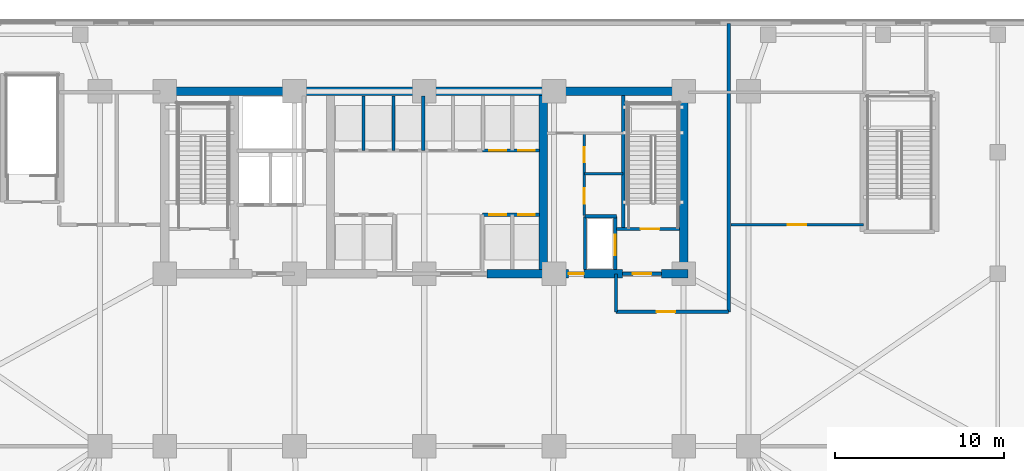
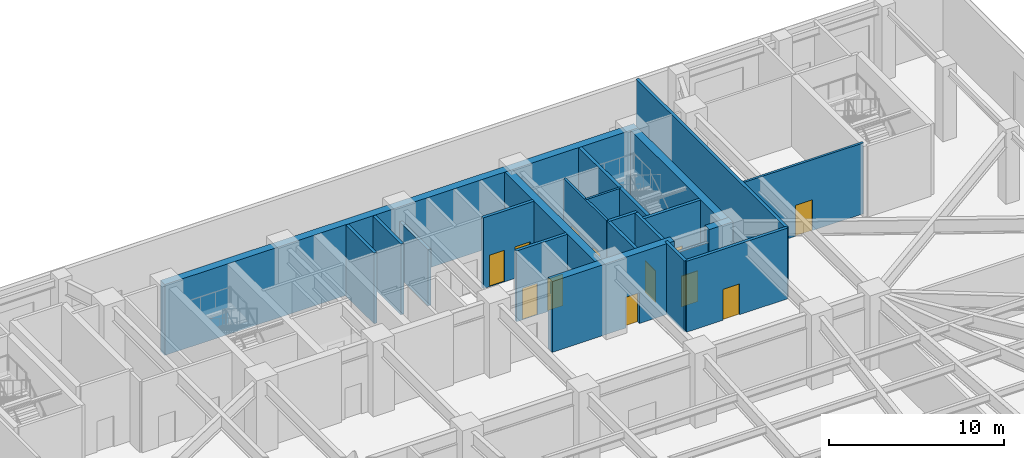
# One storey, part 5 of 15: 22 walls, 12 doors, 12 openings.
"""IFC4 building model written with IfcOpenShell, lengths in metres."""

from ifc_helpers import new_model, si_unit, direction, frame, frame_2d, origin, place, context, subcontext, project, spatial, rectangle, extrude, material, layer, layer_set, type_object, element, fill, save


model = new_model("IFC4")

# Units and contexts
model_context = context("Model", 3, precision=1e-05, world=origin(), true_north=direction((0.0, 1.0)))
body_context = subcontext(model_context, "Body", "Model", "MODEL_VIEW")
ifc_project = project(units=[si_unit("LENGTHUNIT", "METRE"), si_unit("AREAUNIT", "SQUARE_METRE"), si_unit("VOLUMEUNIT", "CUBIC_METRE"), si_unit("PLANEANGLEUNIT", "RADIAN"), si_unit("MASSUNIT", "GRAM", prefix="KILO")], contexts=[model_context])

# Site, building, storey
site_placement = place(None, origin())
site = spatial("IfcSite", under=ifc_project, at=site_placement, CompositionType="ELEMENT")
building_placement = place(site_placement, origin())
building = spatial("IfcBuilding", under=site, at=building_placement, Name="Yelkora Congress Tower", CompositionType="ELEMENT")
storey_placement = place(building_placement, origin())
storey = spatial("IfcBuildingStorey", under=building, at=storey_placement, Name="L00", CompositionType="ELEMENT", Elevation=0.0)

# Walls
ifc_material_1 = material(Name="Concrete C50/60", Category="concrete")
ifc_layer_1 = layer(ifc_material_1, 0.219970703125)
ifc_layer_set_1 = layer_set([ifc_layer_1], Name="Concrete C50/60")
wall_type_1 = type_object("IfcWallType", Name="WALL-CORE-INT-220", PredefinedType="SHEAR", material=ifc_layer_set_1)
wall_1_placement = place(storey_placement, frame((50.179931640625, 38.050048828125, 0.0), z_axis=(0.0, 0.0, 1.0), x_axis=(0.0, 1.0, 0.0)))
element("IfcWall", 1, at=wall_1_placement, inside=storey, type_object=wall_type_1, Name="L00 ST02 West Stair Shear Wall", PredefinedType="SHEAR", context=body_context, shape_type="SweptSolid", body=[
    extrude(rectangle(XDim=7.89990234375, YDim=0.219970703125, at=frame_2d((3.949951171875, 0.0))), origin(), (0.0, 0.0, 1.0), 4.93994140625),
])
ifc_material_2 = material(Name="Concrete C60/75", Category="concrete")
ifc_layer_2 = layer(ifc_material_2, 0.5)
ifc_layer_set_2 = layer_set([ifc_layer_2], Name="Concrete C60/75")
wall_type_2 = type_object("IfcWallType", Name="WALL-CORE-INT-500", PredefinedType="SHEAR", material=ifc_layer_set_2)
wall_2_placement = place(storey_placement, frame((22.7900390625, 46.199951171875, 0.0), z_axis=(0.0, 0.0, 1.0), x_axis=(1.0, 0.0, 0.0)))
element("IfcWall", 2, at=wall_2_placement, inside=storey, type_object=wall_type_2, Name="L00 Rear Core North Shear Wall", PredefinedType="SHEAR", context=body_context, shape_type="SweptSolid", body=[
    extrude(rectangle(XDim=31.219970703125, YDim=0.5, at=frame_2d((15.60986328125, 0.0))), origin(), (0.0, 0.0, 1.0), 4.93994140625),
])

# Wall, opening, door
wall_3_placement = place(storey_placement, frame((42.10009765625, 35.39990234375, 0.0), z_axis=(0.0, 0.0, 1.0), x_axis=(1.0, 0.0, 0.0)))
wall_3 = element("IfcWall", 3, at=wall_3_placement, inside=storey, type_object=wall_type_2, Name="L00 Rear Core South-East Shear Wall A", PredefinedType="SHEAR", context=body_context, shape_type="SweptSolid", body=[
    extrude(rectangle(XDim=8.0498046875, YDim=0.5, at=frame_2d((4.02490234375, 0.0))), origin(), (0.0, 0.0, 1.0), 4.93994140625),
])
opening_1_placement = place(wall_3_placement, frame((4.85009765625, 0.0, 0.0)))
opening_1 = element("IfcOpeningElement", 4, at=opening_1_placement, cuts=wall_3, Name="Opening DR-090F6", PredefinedType="OPENING", context=body_context, shape_type="SweptSolid", body=[
    extrude(rectangle(XDim=0.89990234375, YDim=2.14990234375, at=frame_2d((0.449951171875, 1.074951171875))), frame((0.0, 0.260009765625, 0.0), z_axis=(0.0, -1.0, 0.0), x_axis=(1.0, 0.0, 0.0)), (0.0, 0.0, 1.0), 0.52001953125),
])
ifc_material_3 = material(Name="Painted steel riser fire door leaf", Category="steel")
door_type_1 = type_object("IfcDoorType", Name="DOOR-FD60-900", OperationType="NOTDEFINED", PredefinedType="DOOR", material=ifc_material_3)
door_1_placement = place(opening_1_placement, origin())
door_1 = element("IfcDoor", 5, at=door_1_placement, inside=storey, type_object=door_type_1, Name="L00 Core Washroom Lobby Door", OperationType="SINGLE_SWING_RIGHT", OverallHeight=2.14990234375, OverallWidth=0.89990234375, PredefinedType="DOOR", context=body_context, shape_type="SweptSolid", body=[
    extrude(rectangle(XDim=0.89990234375, YDim=2.14990234375, at=frame_2d((0.449951171875, 1.074951171875))), frame((0.0, 0.02490234375, 0.0), z_axis=(0.0, -1.0, 0.0), x_axis=(1.0, 0.0, 0.0)), (0.0, 0.0, 1.0), 0.050048828125),
])
fill(opening_1, door_1)

# Walls
wall_4_placement = place(storey_placement, frame((52.449951171875, 35.39990234375, 0.0), z_axis=(0.0, 0.0, 1.0), x_axis=(1.0, 0.0, 0.0)))
element("IfcWall", 6, at=wall_4_placement, inside=storey, type_object=wall_type_2, Name="L00 Rear Core South-East Shear Wall B", PredefinedType="SHEAR", context=body_context, shape_type="SweptSolid", body=[
    extrude(rectangle(XDim=1.56005859375, YDim=0.5, at=frame_2d((0.780029296875, 0.0))), origin(), (0.0, 0.0, 1.0), 4.93994140625),
])
for number, where, z_axis, x_axis, name in (
    (7, (45.449951171875, 35.64990234375, 0.0), (0.0, 0.0, 1.0), (0.0, 1.0, 0.0), "L00 Rear Core Cross Shear Wall C3"),
    (8, (53.760009765625, 35.64990234375, 0.0), (0.0, 0.0, 1.0), (0.0, 1.0, 0.0), "L00 Rear Core Cross Shear Wall E"),
):
    element("IfcWall", number, at=place(storey_placement, frame(where, z_axis=z_axis, x_axis=x_axis)), inside=storey, type_object=wall_type_2, Name=name, PredefinedType="SHEAR", context=body_context, shape_type="SweptSolid", body=[
        extrude(rectangle(XDim=10.300048828125, YDim=0.5, at=frame_2d((5.14990234375, 0.0))), origin(), (0.0, 0.0, 1.0), 4.93994140625),
    ])
ifc_material_4 = material(Name="Acoustic metal-stud gypsum partition", Category="gypsum")
ifc_layer_3 = layer(ifc_material_4, 0.14990234375)
ifc_layer_set_3 = layer_set([ifc_layer_3], Name="Acoustic metal-stud gypsum partition")
wall_type_3 = type_object("IfcWallType", Name="WALL-INT-150-NR", PredefinedType="PARTITIONING", material=ifc_layer_set_3)
wall_5_placement = place(storey_placement, frame((47.8798828125, 41.320068359375, 0.0), z_axis=(0.0, 0.0, 1.0), x_axis=(1.0, 0.0, 0.0)))
element("IfcWall", 9, at=wall_5_placement, inside=storey, type_object=wall_type_3, Name="L00 Partition Wall 29", PredefinedType="PARTITIONING", context=body_context, shape_type="SweptSolid", body=[
    extrude(rectangle(XDim=2.300048828125, YDim=0.14990234375, at=frame_2d((1.14990234375, 0.0))), origin(), (0.0, 0.0, 1.0), 4.93994140625),
])

# Wall, openings, doors
wall_6_placement = place(storey_placement, frame((47.8798828125, 38.85009765625, 0.0), z_axis=(0.0, 0.0, 1.0), x_axis=(0.0, 1.0, 0.0)))
wall_6 = element("IfcWall", 10, at=wall_6_placement, inside=storey, type_object=wall_type_3, Name="L00 Partition Wall 30", PredefinedType="PARTITIONING", context=body_context, shape_type="SweptSolid", body=[
    extrude(rectangle(XDim=4.869873046875, YDim=0.14990234375, at=frame_2d((2.43505859375, 0.0))), origin(), (0.0, 0.0, 1.0), 4.93994140625),
])
opening_2_placement = place(wall_6_placement, frame((0.699951171875, 0.0, 0.0)))
opening_2 = element("IfcOpeningElement", 11, at=opening_2_placement, cuts=wall_6, Name="Opening DR-090N", PredefinedType="OPENING", context=body_context, shape_type="SweptSolid", body=[
    extrude(rectangle(XDim=0.89990234375, YDim=2.14990234375, at=frame_2d((0.449951171875, 1.074951171875))), frame((0.0, 0.0849609375, 0.0), z_axis=(0.0, -1.0, 0.0), x_axis=(1.0, 0.0, 0.0)), (0.0, 0.0, 1.0), 0.169921875),
])
opening_3_placement = place(wall_6_placement, frame((3.14990234375, 0.0, 0.0)))
opening_3 = element("IfcOpeningElement", 12, at=opening_3_placement, cuts=wall_6, Name="Opening DR-090N", PredefinedType="OPENING", context=body_context, shape_type="SweptSolid", body=[
    extrude(rectangle(XDim=0.89990234375, YDim=2.14990234375, at=frame_2d((0.449951171875, 1.074951171875))), frame((0.0, 0.0849609375, 0.0), z_axis=(0.0, -1.0, 0.0), x_axis=(1.0, 0.0, 0.0)), (0.0, 0.0, 1.0), 0.169921875),
])
ifc_material_5 = material(Name="Moisture-resistant laminate door leaf", Category="wood")
door_type_2 = type_object("IfcDoorType", Name="DOOR-INT-900", OperationType="NOTDEFINED", PredefinedType="DOOR", material=ifc_material_5)
door_2_placement = place(opening_2_placement, origin())
door_2 = element("IfcDoor", 13, at=door_2_placement, inside=storey, type_object=door_type_2, Name="L00 Male WC Door", OperationType="SINGLE_SWING_RIGHT", OverallHeight=2.14990234375, OverallWidth=0.89990234375, PredefinedType="DOOR", context=body_context, shape_type="SweptSolid", body=[
    extrude(rectangle(XDim=0.89990234375, YDim=2.14990234375, at=frame_2d((0.449951171875, 1.074951171875))), frame((0.0, 0.02490234375, 0.0), z_axis=(0.0, -1.0, 0.0), x_axis=(1.0, 0.0, 0.0)), (0.0, 0.0, 1.0), 0.050048828125),
])
fill(opening_2, door_2)
door_3_placement = place(opening_3_placement, origin())
door_3 = element("IfcDoor", 14, at=door_3_placement, inside=storey, type_object=door_type_2, Name="L00 Female WC Door", OperationType="SINGLE_SWING_LEFT", OverallHeight=2.14990234375, OverallWidth=0.89990234375, PredefinedType="DOOR", context=body_context, shape_type="SweptSolid", body=[
    extrude(rectangle(XDim=0.89990234375, YDim=2.14990234375, at=frame_2d((0.449951171875, 1.074951171875))), frame((0.0, 0.02490234375, 0.0), z_axis=(0.0, -1.0, 0.0), x_axis=(1.0, 0.0, 0.0)), (0.0, 0.0, 1.0), 0.050048828125),
])
fill(opening_3, door_3)

# Wall, opening, door
wall_7_placement = place(storey_placement, frame((56.550048828125, 38.300048828125, 0.0), z_axis=(0.0, 0.0, 1.0), x_axis=(1.0, 0.0, 0.0)))
wall_7 = element("IfcWall", 15, at=wall_7_placement, inside=storey, type_object=wall_type_3, Name="L00 Partition Wall 48", PredefinedType="PARTITIONING", context=body_context, shape_type="SweptSolid", body=[
    extrude(rectangle(XDim=7.849853515625, YDim=0.14990234375, at=frame_2d((3.9248046875, 0.0))), origin(), (0.0, 0.0, 1.0), 4.93994140625),
])
opening_4_placement = place(wall_7_placement, frame((3.375, 0.0, 0.0)))
opening_4 = element("IfcOpeningElement", 16, at=opening_4_placement, cuts=wall_7, Name="Opening DR-110N", PredefinedType="OPENING", context=body_context, shape_type="SweptSolid", body=[
    extrude(rectangle(XDim=1.10009765625, YDim=2.14990234375, at=frame_2d((0.550048828125, 1.074951171875))), frame((0.0, 0.0849609375, 0.0), z_axis=(0.0, -1.0, 0.0), x_axis=(1.0, 0.0, 0.0)), (0.0, 0.0, 1.0), 0.169921875),
])
ifc_material_6 = material(Name="Solid-core Anatolian oak veneer door", Category="wood")
door_type_3 = type_object("IfcDoorType", Name="DOOR-INT-1100", OperationType="NOTDEFINED", PredefinedType="DOOR", material=ifc_material_6)
door_4_placement = place(opening_4_placement, origin())
door_4 = element("IfcDoor", 17, at=door_4_placement, inside=storey, type_object=door_type_3, Name="L00 Interior Door 31", OperationType="SINGLE_SWING_LEFT", OverallHeight=2.14990234375, OverallWidth=1.10009765625, PredefinedType="DOOR", context=body_context, shape_type="SweptSolid", body=[
    extrude(rectangle(XDim=1.10009765625, YDim=2.14990234375, at=frame_2d((0.550048828125, 1.074951171875))), frame((0.0, 0.02490234375, 0.0), z_axis=(0.0, -1.0, 0.0), x_axis=(1.0, 0.0, 0.0)), (0.0, 0.0, 1.0), 0.050048828125),
])
fill(opening_4, door_4)

# Walls
ifc_material_7 = material(Name="Autoclaved aerated concrete blockwork", Category="masonry")
ifc_layer_4 = layer(ifc_material_7, 0.199951171875)
ifc_layer_set_4 = layer_set([ifc_layer_4], Name="Autoclaved aerated concrete blockwork")
wall_type_4 = type_object("IfcWallType", Name="WALL-INT-200-R120", PredefinedType="PARTITIONING", material=ifc_layer_set_4)
wall_8_placement = place(storey_placement, frame((38.35009765625, 42.699951171875, 0.0), z_axis=(0.0, 0.0, 1.0), x_axis=(0.0, 1.0, 0.0)))
element("IfcWall", 18, at=wall_8_placement, inside=storey, type_object=wall_type_4, Name="L00 Partition Wall 9", PredefinedType="PARTITIONING", context=body_context, shape_type="SweptSolid", body=[
    extrude(rectangle(XDim=3.219970703125, YDim=0.199951171875, at=frame_2d((1.60986328125, 0.0))), origin(), (0.0, 0.0, 1.0), 3.93505859375),
])
for number, where, z_axis, x_axis, name in (
    (19, (34.800048828125, 42.699951171875, 0.0), (0.0, 0.0, 1.0), (0.0, 1.0, 0.0), "L00 Partition Wall 14"),
    (20, (36.580078125, 42.699951171875, 0.0), (0.0, 0.0, 1.0), (0.0, 1.0, 0.0), "L00 Partition Wall 16"),
):
    element("IfcWall", number, at=place(storey_placement, frame(where, z_axis=z_axis, x_axis=x_axis)), inside=storey, type_object=wall_type_4, Name=name, PredefinedType="PARTITIONING", context=body_context, shape_type="SweptSolid", body=[
        extrude(rectangle(XDim=3.219970703125, YDim=0.199951171875, at=frame_2d((1.60986328125, 0.0))), origin(), (0.0, 0.0, 1.0), 4.93994140625),
    ])

# Wall, openings, doors
wall_9_placement = place(storey_placement, frame((41.85009765625, 38.89990234375, 0.0), z_axis=(0.0, 0.0, 1.0), x_axis=(1.0, 0.0, 0.0)))
wall_9 = element("IfcWall", 21, at=wall_9_placement, inside=storey, type_object=wall_type_4, Name="L00 Partition Wall 17", PredefinedType="PARTITIONING", context=body_context, shape_type="SweptSolid", body=[
    extrude(rectangle(XDim=3.369873046875, YDim=0.199951171875, at=frame_2d((1.68505859375, 0.0))), origin(), (0.0, 0.0, 1.0), 4.93994140625),
])
opening_5_placement = place(wall_9_placement, frame((0.39990234375, 0.0, 0.0)))
opening_5 = element("IfcOpeningElement", 22, at=opening_5_placement, cuts=wall_9, Name="Opening LD-PS10", PredefinedType="OPENING", context=body_context, shape_type="SweptSolid", body=[
    extrude(rectangle(XDim=1.0, YDim=2.199951171875, at=frame_2d((0.5, 1.10009765625))), frame((0.0, 0.10986328125, 0.0), z_axis=(0.0, -1.0, 0.0), x_axis=(1.0, 0.0, 0.0)), (0.0, 0.0, 1.0), 0.219970703125),
])
opening_6_placement = place(wall_9_placement, frame((2.10009765625, 0.0, 0.0)))
opening_6 = element("IfcOpeningElement", 23, at=opening_6_placement, cuts=wall_9, Name="Opening LD-PS10", PredefinedType="OPENING", context=body_context, shape_type="SweptSolid", body=[
    extrude(rectangle(XDim=1.0, YDim=2.199951171875, at=frame_2d((0.5, 1.10009765625))), frame((0.0, 0.10986328125, 0.0), z_axis=(0.0, -1.0, 0.0), x_axis=(1.0, 0.0, 0.0)), (0.0, 0.0, 1.0), 0.219970703125),
])
ifc_material_8 = material(Name="Champagne stainless steel landing door", Category="steel")
door_type_4 = type_object("IfcDoorType", Name="DOOR-LIFT-PAS-1000", OperationType="DOUBLE_DOOR_SLIDING", PredefinedType="DOOR", material=ifc_material_8)
door_5_placement = place(opening_5_placement, origin())
door_5 = element("IfcDoor", 24, at=door_5_placement, inside=storey, type_object=door_type_4, Name="Lift Landing Door LF-P5 L00", OperationType="DOUBLE_DOOR_SLIDING", OverallHeight=2.199951171875, OverallWidth=1.0, PredefinedType="DOOR", context=body_context, shape_type="SweptSolid", body=[
    extrude(rectangle(XDim=1.0, YDim=2.199951171875, at=frame_2d((0.5, 1.10009765625))), frame((0.0, 0.02490234375, 0.0), z_axis=(0.0, -1.0, 0.0), x_axis=(1.0, 0.0, 0.0)), (0.0, 0.0, 1.0), 0.050048828125),
])
fill(opening_5, door_5)
door_6_placement = place(opening_6_placement, origin())
door_6 = element("IfcDoor", 25, at=door_6_placement, inside=storey, type_object=door_type_4, Name="Lift Landing Door LF-P6 L00", OperationType="DOUBLE_DOOR_SLIDING", OverallHeight=2.199951171875, OverallWidth=1.0, PredefinedType="DOOR", context=body_context, shape_type="SweptSolid", body=[
    extrude(rectangle(XDim=1.0, YDim=2.199951171875, at=frame_2d((0.5, 1.10009765625))), frame((0.0, 0.02490234375, 0.0), z_axis=(0.0, -1.0, 0.0), x_axis=(1.0, 0.0, 0.0)), (0.0, 0.0, 1.0), 0.050048828125),
])
fill(opening_6, door_6)

wall_10_placement = place(storey_placement, frame((41.85009765625, 42.699951171875, 0.0), z_axis=(0.0, 0.0, 1.0), x_axis=(1.0, 0.0, 0.0)))
wall_10 = element("IfcWall", 26, at=wall_10_placement, inside=storey, type_object=wall_type_4, Name="L00 Partition Wall 18", PredefinedType="PARTITIONING", context=body_context, shape_type="SweptSolid", body=[
    extrude(rectangle(XDim=3.369873046875, YDim=0.199951171875, at=frame_2d((1.68505859375, 0.0))), origin(), (0.0, 0.0, 1.0), 4.93994140625),
])
opening_7_placement = place(wall_10_placement, frame((0.39990234375, 0.0, 0.0)))
opening_7 = element("IfcOpeningElement", 27, at=opening_7_placement, cuts=wall_10, Name="Opening LD-PS10", PredefinedType="OPENING", context=body_context, shape_type="SweptSolid", body=[
    extrude(rectangle(XDim=1.0, YDim=2.199951171875, at=frame_2d((0.5, 1.10009765625))), frame((0.0, 0.10986328125, 0.0), z_axis=(0.0, -1.0, 0.0), x_axis=(1.0, 0.0, 0.0)), (0.0, 0.0, 1.0), 0.219970703125),
])
opening_8_placement = place(wall_10_placement, frame((2.10009765625, 0.0, 0.0)))
opening_8 = element("IfcOpeningElement", 28, at=opening_8_placement, cuts=wall_10, Name="Opening LD-PS10", PredefinedType="OPENING", context=body_context, shape_type="SweptSolid", body=[
    extrude(rectangle(XDim=1.0, YDim=2.199951171875, at=frame_2d((0.5, 1.10009765625))), frame((0.0, 0.10986328125, 0.0), z_axis=(0.0, -1.0, 0.0), x_axis=(1.0, 0.0, 0.0)), (0.0, 0.0, 1.0), 0.219970703125),
])
door_7_placement = place(opening_7_placement, origin())
door_7 = element("IfcDoor", 29, at=door_7_placement, inside=storey, type_object=door_type_4, Name="Lift Landing Door LF-P7 L00", OperationType="DOUBLE_DOOR_SLIDING", OverallHeight=2.199951171875, OverallWidth=1.0, PredefinedType="DOOR", context=body_context, shape_type="SweptSolid", body=[
    extrude(rectangle(XDim=1.0, YDim=2.199951171875, at=frame_2d((0.5, 1.10009765625))), frame((0.0, 0.02490234375, 0.0), z_axis=(0.0, -1.0, 0.0), x_axis=(1.0, 0.0, 0.0)), (0.0, 0.0, 1.0), 0.050048828125),
])
fill(opening_7, door_7)
door_8_placement = place(opening_8_placement, origin())
door_8 = element("IfcDoor", 30, at=door_8_placement, inside=storey, type_object=door_type_4, Name="Lift Landing Door LF-P8 L00", OperationType="DOUBLE_DOOR_SLIDING", OverallHeight=2.199951171875, OverallWidth=1.0, PredefinedType="DOOR", context=body_context, shape_type="SweptSolid", body=[
    extrude(rectangle(XDim=1.0, YDim=2.199951171875, at=frame_2d((0.5, 1.10009765625))), frame((0.0, 0.02490234375, 0.0), z_axis=(0.0, -1.0, 0.0), x_axis=(1.0, 0.0, 0.0)), (0.0, 0.0, 1.0), 0.050048828125),
])
fill(opening_8, door_8)

# Wall, opening, door
wall_11_placement = place(storey_placement, frame((49.780029296875, 38.050048828125, 0.0), z_axis=(0.0, 0.0, 1.0), x_axis=(1.0, 0.0, 0.0)))
wall_11 = element("IfcWall", 31, at=wall_11_placement, inside=storey, type_object=wall_type_4, Name="L00 Stair ST-02 Enclosure Wall", PredefinedType="PARTITIONING", context=body_context, shape_type="SweptSolid", body=[
    extrude(rectangle(XDim=3.719970703125, YDim=0.199951171875, at=frame_2d((1.85986328125, 0.0))), origin(), (0.0, 0.0, 1.0), 4.93994140625),
])
opening_9_placement = place(wall_11_placement, frame((1.436279296875, 0.0, 0.0)))
opening_9 = element("IfcOpeningElement", 32, at=opening_9_placement, cuts=wall_11, Name="Opening DR-110F9", PredefinedType="OPENING", context=body_context, shape_type="SweptSolid", body=[
    extrude(rectangle(XDim=1.10009765625, YDim=2.14990234375, at=frame_2d((0.550048828125, 1.074951171875))), frame((0.0, 0.10986328125, 0.0), z_axis=(0.0, -1.0, 0.0), x_axis=(1.0, 0.0, 0.0)), (0.0, 0.0, 1.0), 0.219970703125),
])
ifc_material_9 = material(Name="Galvanised steel fire door leaf", Category="steel")
door_type_5 = type_object("IfcDoorType", Name="DOOR-FD90-1100", OperationType="NOTDEFINED", PredefinedType="DOOR", material=ifc_material_9)
door_9_placement = place(opening_9_placement, origin())
door_9 = element("IfcDoor", 33, at=door_9_placement, inside=storey, type_object=door_type_5, Name="L00 Stair ST-02 Entry Door", OperationType="SINGLE_SWING_RIGHT", OverallHeight=2.14990234375, OverallWidth=1.10009765625, PredefinedType="DOOR", context=body_context, shape_type="SweptSolid", body=[
    extrude(rectangle(XDim=1.10009765625, YDim=2.14990234375, at=frame_2d((0.550048828125, 1.074951171875))), frame((0.0, 0.02490234375, 0.0), z_axis=(0.0, -1.0, 0.0), x_axis=(1.0, 0.0, 0.0)), (0.0, 0.0, 1.0), 0.050048828125),
])
fill(opening_9, door_9)

wall_12_placement = place(storey_placement, frame((50.14990234375, 35.39990234375, 0.0), z_axis=(0.0, 0.0, 1.0), x_axis=(1.0, 0.0, 0.0)))
wall_12 = element("IfcWall", 34, at=wall_12_placement, inside=storey, type_object=wall_type_4, Name="L00 Partition Wall 24", PredefinedType="PARTITIONING", context=body_context, shape_type="SweptSolid", body=[
    extrude(rectangle(XDim=2.300048828125, YDim=0.199951171875, at=frame_2d((1.14990234375, 0.0))), origin(), (0.0, 0.0, 1.0), 3.93505859375),
])
opening_10_placement = place(wall_12_placement, frame((0.60009765625, 0.0, 0.0)))
opening_10 = element("IfcOpeningElement", 35, at=opening_10_placement, cuts=wall_12, Name="Opening DR-110F9", PredefinedType="OPENING", context=body_context, shape_type="SweptSolid", body=[
    extrude(rectangle(XDim=1.10009765625, YDim=2.14990234375, at=frame_2d((0.550048828125, 1.074951171875))), frame((0.0, 0.10986328125, 0.0), z_axis=(0.0, -1.0, 0.0), x_axis=(1.0, 0.0, 0.0)), (0.0, 0.0, 1.0), 0.219970703125),
])
door_10_placement = place(opening_10_placement, origin())
door_10 = element("IfcDoor", 36, at=door_10_placement, inside=storey, type_object=door_type_5, Name="L00 East Stair Lobby Door", OperationType="SINGLE_SWING_LEFT", OverallHeight=2.14990234375, OverallWidth=1.10009765625, PredefinedType="DOOR", context=body_context, shape_type="SweptSolid", body=[
    extrude(rectangle(XDim=1.10009765625, YDim=2.14990234375, at=frame_2d((0.550048828125, 1.074951171875))), frame((0.0, 0.02490234375, 0.0), z_axis=(0.0, -1.0, 0.0), x_axis=(1.0, 0.0, 0.0)), (0.0, 0.0, 1.0), 0.050048828125),
])
fill(opening_10, door_10)

wall_13_placement = place(storey_placement, frame((49.699951171875, 35.64990234375, 0.0), z_axis=(0.0, 0.0, 1.0), x_axis=(0.0, 1.0, 0.0)))
wall_13 = element("IfcWall", 37, at=wall_13_placement, inside=storey, type_object=wall_type_4, Name="L00 Partition Wall 25", PredefinedType="PARTITIONING", context=body_context, shape_type="SweptSolid", body=[
    extrude(rectangle(XDim=3.150146484375, YDim=0.199951171875, at=frame_2d((1.5751953125, 0.0))), origin(), (0.0, 0.0, 1.0), 4.93994140625),
])
opening_11_placement = place(wall_13_placement, frame((0.85009765625, 0.0, 0.0)))
opening_11 = element("IfcOpeningElement", 38, at=opening_11_placement, cuts=wall_13, Name="Opening LD-SV12", PredefinedType="OPENING", context=body_context, shape_type="SweptSolid", body=[
    extrude(rectangle(XDim=1.199951171875, YDim=2.199951171875, at=frame_2d((0.60009765625, 1.10009765625))), frame((0.0, 0.10986328125, 0.0), z_axis=(0.0, -1.0, 0.0), x_axis=(1.0, 0.0, 0.0)), (0.0, 0.0, 1.0), 0.219970703125),
])
ifc_material_10 = material(Name="Heavy-duty stainless steel landing door", Category="steel")
door_type_6 = type_object("IfcDoorType", Name="DOOR-LIFT-SRV-1200", OperationType="DOUBLE_DOOR_SLIDING", PredefinedType="DOOR", material=ifc_material_10)
door_11_placement = place(opening_11_placement, origin())
door_11 = element("IfcDoor", 39, at=door_11_placement, inside=storey, type_object=door_type_6, Name="Service Lift Landing Door LF-SV1 L00", OperationType="DOUBLE_DOOR_SLIDING", OverallHeight=2.199951171875, OverallWidth=1.199951171875, PredefinedType="DOOR", context=body_context, shape_type="SweptSolid", body=[
    extrude(rectangle(XDim=1.199951171875, YDim=2.199951171875, at=frame_2d((0.60009765625, 1.10009765625))), frame((0.0, 0.02490234375, 0.0), z_axis=(0.0, -1.0, 0.0), x_axis=(1.0, 0.0, 0.0)), (0.0, 0.0, 1.0), 0.050048828125),
])
fill(opening_11, door_11)

# Walls
wall_14_placement = place(storey_placement, frame((47.919921875, 35.64990234375, 0.0), z_axis=(0.0, 0.0, 1.0), x_axis=(0.0, 1.0, 0.0)))
element("IfcWall", 40, at=wall_14_placement, inside=storey, type_object=wall_type_4, Name="L00 Partition Wall 26", PredefinedType="PARTITIONING", context=body_context, shape_type="SweptSolid", body=[
    extrude(rectangle(XDim=3.150146484375, YDim=0.199951171875, at=frame_2d((1.5751953125, 0.0))), origin(), (0.0, 0.0, 1.0), 4.93994140625),
])
wall_15_placement = place(storey_placement, frame((47.919921875, 38.800048828125, 0.0), z_axis=(0.0, 0.0, 1.0), x_axis=(1.0, 0.0, 0.0)))
element("IfcWall", 41, at=wall_15_placement, inside=storey, type_object=wall_type_4, Name="L00 Partition Wall 27", PredefinedType="PARTITIONING", context=body_context, shape_type="SweptSolid", body=[
    extrude(rectangle(XDim=1.860107421875, YDim=0.199951171875, at=frame_2d((0.93017578125, 0.0))), origin(), (0.0, 0.0, 1.0), 4.93994140625),
])
wall_16_placement = place(storey_placement, frame((49.75, 33.14990234375, 0.0), z_axis=(0.0, 0.0, 1.0), x_axis=(0.0, 1.0, 0.0)))
element("IfcWall", 42, at=wall_16_placement, inside=storey, type_object=wall_type_4, Name="L00 Partition Wall 41", PredefinedType="PARTITIONING", context=body_context, shape_type="SweptSolid", body=[
    extrude(rectangle(XDim=2.25, YDim=0.199951171875, at=frame_2d((1.125, 0.0))), origin(), (0.0, 0.0, 1.0), 4.93994140625),
])

# Wall, opening, door
wall_17_placement = place(storey_placement, frame((49.75, 33.14990234375, 0.0), z_axis=(0.0, 0.0, 1.0), x_axis=(1.0, 0.0, 0.0)))
wall_17 = element("IfcWall", 43, at=wall_17_placement, inside=storey, type_object=wall_type_4, Name="L00 Partition Wall 42", PredefinedType="PARTITIONING", context=body_context, shape_type="SweptSolid", body=[
    extrude(rectangle(XDim=6.669921875, YDim=0.199951171875, at=frame_2d((3.3349609375, 0.0))), origin(), (0.0, 0.0, 1.0), 4.93994140625),
])
opening_12_placement = place(wall_17_placement, frame((2.39990234375, 0.0, 0.0)))
opening_12 = element("IfcOpeningElement", 44, at=opening_12_placement, cuts=wall_17, Name="Opening DR-110F9", PredefinedType="OPENING", context=body_context, shape_type="SweptSolid", body=[
    extrude(rectangle(XDim=1.10009765625, YDim=2.14990234375, at=frame_2d((0.550048828125, 1.074951171875))), frame((0.0, 0.10986328125, 0.0), z_axis=(0.0, -1.0, 0.0), x_axis=(1.0, 0.0, 0.0)), (0.0, 0.0, 1.0), 0.219970703125),
])
door_12_placement = place(opening_12_placement, origin())
door_12 = element("IfcDoor", 45, at=door_12_placement, inside=storey, type_object=door_type_5, Name="L00 East Protected Passage Concourse Door", OperationType="SINGLE_SWING_RIGHT", OverallHeight=2.14990234375, OverallWidth=1.10009765625, PredefinedType="DOOR", context=body_context, shape_type="SweptSolid", body=[
    extrude(rectangle(XDim=1.10009765625, YDim=2.14990234375, at=frame_2d((0.550048828125, 1.074951171875))), frame((0.0, 0.02490234375, 0.0), z_axis=(0.0, -1.0, 0.0), x_axis=(1.0, 0.0, 0.0)), (0.0, 0.0, 1.0), 0.050048828125),
])
fill(opening_12, door_12)

# Wall
wall_18_placement = place(storey_placement, frame((56.419921875, 33.14990234375, 0.0), z_axis=(0.0, 0.0, 1.0), x_axis=(0.0, 1.0, 0.0)))
element("IfcWall", 46, at=wall_18_placement, inside=storey, type_object=wall_type_4, Name="L00 Partition Wall 43", PredefinedType="PARTITIONING", context=body_context, shape_type="SweptSolid", body=[
    extrude(rectangle(XDim=17.070068359375, YDim=0.199951171875, at=frame_2d((8.53515625, 0.0))), origin(), (0.0, 0.0, 1.0), 4.93994140625),
])

save(model, "model.ifc")
